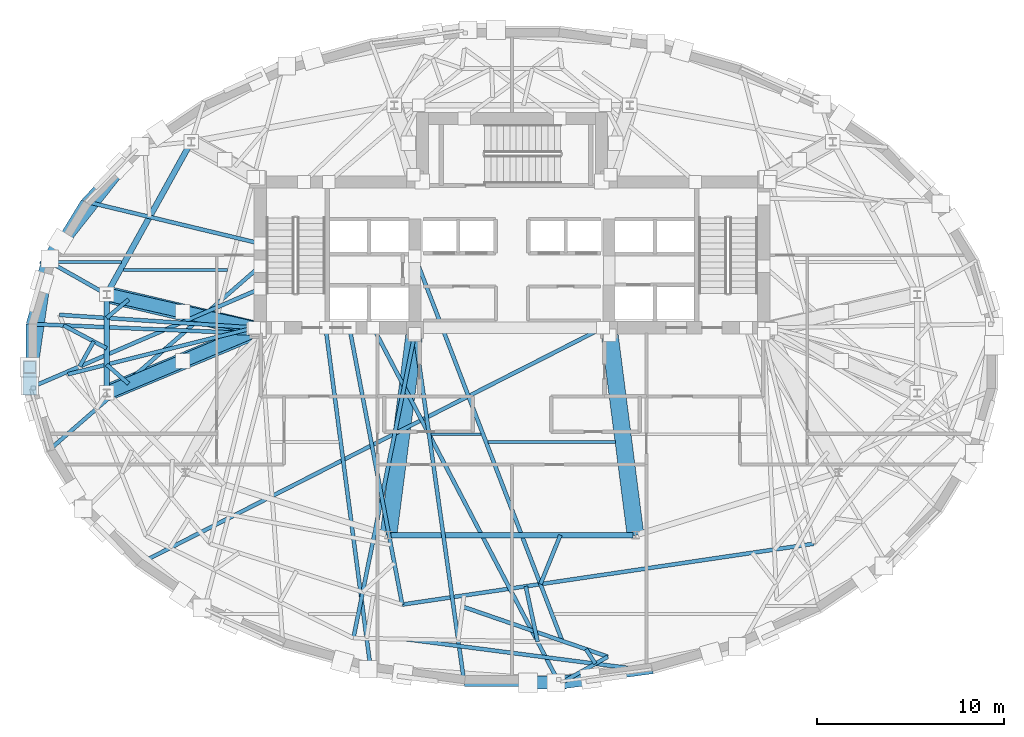
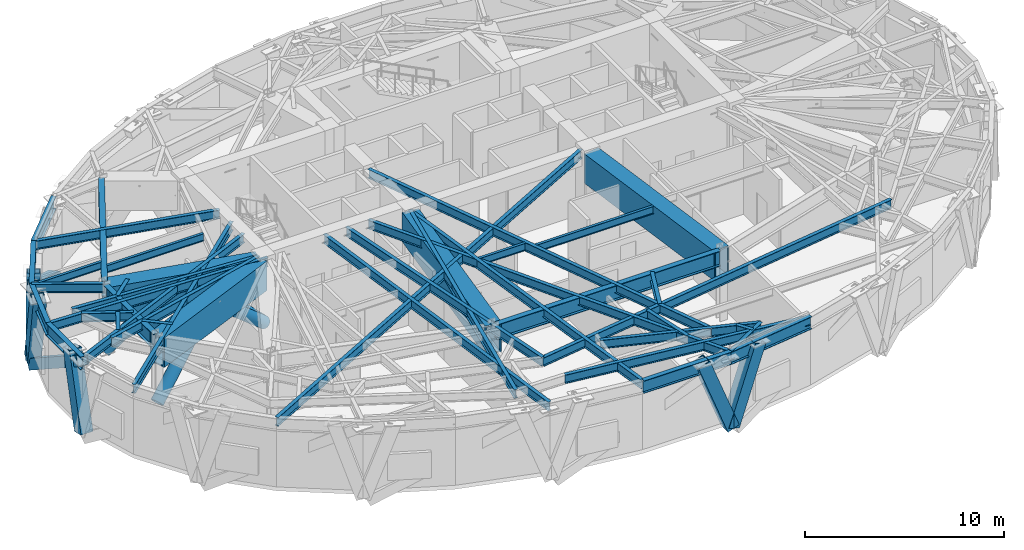
# One storey, part 2 of 13: 42 beams, 11 members.
"""IFC4 building model written with IfcOpenShell, lengths in metres."""

from ifc_helpers import new_model, si_unit, direction, frame, origin, origin_2d, place, context, subcontext, project, spatial, hollow_rectangle, hollow_circle, i_section, extrude, material, material_profile, profile_set, type_object, element, save


model = new_model("IFC4")

# Units and contexts
model_context = context("Model", 3, precision=1e-05, world=origin(), true_north=direction((0.0, 1.0)))
body_context = subcontext(model_context, "Body", "Model", "MODEL_VIEW")
ifc_project = project(units=[si_unit("LENGTHUNIT", "METRE"), si_unit("AREAUNIT", "SQUARE_METRE"), si_unit("VOLUMEUNIT", "CUBIC_METRE"), si_unit("PLANEANGLEUNIT", "RADIAN"), si_unit("MASSUNIT", "GRAM", prefix="KILO")], contexts=[model_context])

# Site, building, storey
site_placement = place(None, origin())
site = spatial("IfcSite", under=ifc_project, at=site_placement, CompositionType="ELEMENT")
building_placement = place(site_placement, origin())
building = spatial("IfcBuilding", under=site, at=building_placement, Name="Keldmark Tower", CompositionType="ELEMENT")
storey_placement = place(building_placement, frame((0.0, 0.0, 135.10009765625)))
storey = spatial("IfcBuildingStorey", under=building, at=storey_placement, Name="L36", CompositionType="ELEMENT", Elevation=135.10009765625)

# Members
ifc_material_1 = material(Name="Steel ASTM A572 Grade 50", Category="steel")
ifc_material_profile_1 = material_profile(ifc_material_1, hollow_rectangle(XDim=0.60009765625, YDim=0.60009765625, WallThickness=0.034912109375, at=origin_2d()), Name="BOX600X600X35")
ifc_profile_set_1 = profile_set([ifc_material_profile_1], Name="Steel ASTM A572 Grade 50")
member_type_1 = type_object("IfcMemberType", Name="Belt Truss Diagonal Brace BOX600", PredefinedType="BRACE", material=ifc_profile_set_1)
member_1_placement = place(storey_placement, frame((-20.165283203125, 11.02490234375, -0.5400390625), z_axis=(-0.528598004612, -0.670030415284, 0.521194198082), x_axis=(0.785095494684, -0.61937473651, 0.0)))
element("IfcMember", 1, at=member_1_placement, inside=storey, type_object=member_type_1, Name="L36 Perimeter Belt Truss Brace 07", PredefinedType="BRACE", context=body_context, shape_type="SweptSolid", body=[
    extrude(hollow_rectangle(XDim=0.60009765625, YDim=0.60009765625, WallThickness=0.034912109375, at=origin_2d()), origin(), (0.0, 0.0, 1.0), 8.67236328125),
])
member_2_placement = place(storey_placement, frame((-24.86279296875, 4.9619140625, -0.5400390625), z_axis=(-0.118745947792, -0.817493251448, 0.563563823999), x_axis=(0.989614382364, -0.143747605958, 0.0)))
element("IfcMember", 2, at=member_2_placement, inside=storey, type_object=member_type_1, Name="L36 Perimeter Belt Truss Brace 08", PredefinedType="BRACE", context=body_context, shape_type="SweptSolid", body=[
    extrude(hollow_rectangle(XDim=0.60009765625, YDim=0.60009765625, WallThickness=0.034912109375, at=origin_2d()), origin(), (0.0, 0.0, 1.0), 8.0205078125),
])

# Beams
ifc_material_2 = material(Name="Steel ASTM A992 Grade 50", Category="steel")
ifc_material_profile_2 = material_profile(ifc_material_2, i_section(OverallWidth=0.153076171875, OverallDepth=0.455078125, WebThickness=0.008056640625, FlangeThickness=0.01318359375, at=origin_2d()), Name="W18X40")
ifc_profile_set_2 = profile_set([ifc_material_profile_2], Name="Steel ASTM A992 Grade 50")
beam_type_1 = type_object("IfcBeamType", Name="Composite Floor Joist W18X40", PredefinedType="JOIST", material=ifc_profile_set_2)
beam_1_placement = place(storey_placement, frame((-4.330810546875, -4.179931640625, 4.052490234375), z_axis=(1.0, 0.0, 0.0), x_axis=(0.0, 1.0, 0.0)))
element("IfcBeam", 3, at=beam_1_placement, inside=storey, type_object=beam_type_1, Name="L36 Composite Floor Joist J06", PredefinedType="JOIST", context=body_context, shape_type="SweptSolid", body=[
    extrude(i_section(OverallWidth=0.153076171875, OverallDepth=0.455078125, WebThickness=0.008056640625, FlangeThickness=0.01318359375, at=origin_2d()), origin(), (0.0, 0.0, 1.0), 2.6787109375),
])
beam_2_placement = place(storey_placement, frame((-1.284912109375, -4.60009765625, 4.052490234375), z_axis=(1.0, 0.0, 0.0), x_axis=(0.0, 1.0, 0.0)))
element("IfcBeam", 4, at=beam_2_placement, inside=storey, type_object=beam_type_1, Name="L36 Composite Floor Joist J07", PredefinedType="JOIST", context=body_context, shape_type="SweptSolid", body=[
    extrude(i_section(OverallWidth=0.153076171875, OverallDepth=0.455078125, WebThickness=0.008056640625, FlangeThickness=0.01318359375, at=origin_2d()), origin(), (0.0, 0.0, 1.0), 6.812255859375),
])
beam_3_placement = place(storey_placement, frame((-24.548583984375, 5.0400390625, 4.052490234375), z_axis=(1.0, 0.0, 0.0), x_axis=(0.0, 1.0, 0.0)))
element("IfcBeam", 5, at=beam_3_placement, inside=storey, type_object=beam_type_1, Name="L36 Composite Floor Joist J09", PredefinedType="JOIST", context=body_context, shape_type="SweptSolid", body=[
    extrude(i_section(OverallWidth=0.153076171875, OverallDepth=0.455078125, WebThickness=0.008056640625, FlangeThickness=0.01318359375, at=origin_2d()), origin(), (0.0, 0.0, 1.0), 3.6435546875),
])
beam_4_placement = place(storey_placement, frame((-20.802734375, 4.6201171875, 4.052490234375), z_axis=(1.0, 0.0, 0.0), x_axis=(0.0, 1.0, 0.0)))
element("IfcBeam", 6, at=beam_4_placement, inside=storey, type_object=beam_type_1, Name="L36 Composite Floor Joist J10", PredefinedType="JOIST", context=body_context, shape_type="SweptSolid", body=[
    extrude(i_section(OverallWidth=0.153076171875, OverallDepth=0.455078125, WebThickness=0.008056640625, FlangeThickness=0.01318359375, at=origin_2d()), origin(), (0.0, 0.0, 1.0), 5.581787109375),
])

# Members
ifc_material_3 = material(Name="Steel ASTM A572 Grade 50", Category="steel")
ifc_material_profile_3 = material_profile(ifc_material_3, hollow_rectangle(XDim=0.699951171875, YDim=0.699951171875, WallThickness=0.044921875, at=origin_2d()), Name="BOX700X700X45")
ifc_profile_set_3 = profile_set([ifc_material_profile_3], Name="Steel ASTM A572 Grade 50")
member_type_2 = type_object("IfcMemberType", Name="Diagrid Zone 2 Brace BOX700X700X45", PredefinedType="BRACE", material=ifc_profile_set_3)
member_3_placement = place(storey_placement, frame((-24.827392578125, 5.08642578125, -0.320068359375), z_axis=(0.139758774799, 0.228748678361, 0.963401020871), x_axis=(-0.853335083836, 0.521362862789, 0.0)))
element("IfcMember", 7, at=member_3_placement, inside=storey, type_object=member_type_2, Name="L36 Perimeter Diagrid Brace 07B", PredefinedType="BRACE", context=body_context, shape_type="SweptSolid", body=[
    extrude(hollow_rectangle(XDim=0.699951171875, YDim=0.699951171875, WallThickness=0.044921875, at=origin_2d()), origin(), (0.0, 0.0, 1.0), 4.650146484375),
])
member_4_placement = place(storey_placement, frame((-24.822998046875, 5.097412109375, -0.320068359375), z_axis=(-0.071577130516, -0.243773364239, 0.967187293793), x_axis=(0.959494237083, -0.281728253829, 0.0)))
element("IfcMember", 8, at=member_4_placement, inside=storey, type_object=member_type_2, Name="L36 Perimeter Diagrid Brace 08A", PredefinedType="BRACE", context=body_context, shape_type="SweptSolid", body=[
    extrude(hollow_rectangle(XDim=0.699951171875, YDim=0.699951171875, WallThickness=0.044921875, at=origin_2d()), origin(), (0.0, 0.0, 1.0), 4.632080078125),
])
member_5_placement = place(storey_placement, frame((-25.815185546875, -1.73291015625, -0.320068359375), z_axis=(0.0, 0.248913733545, 0.968525659574), x_axis=(-1.0, 0.0, 0.0)))
element("IfcMember", 9, at=member_5_placement, inside=storey, type_object=member_type_2, Name="L36 Perimeter Diagrid Brace 08B", PredefinedType="BRACE", context=body_context, shape_type="SweptSolid", body=[
    extrude(hollow_rectangle(XDim=0.699951171875, YDim=0.699951171875, WallThickness=0.044921875, at=origin_2d()), origin(), (0.0, 0.0, 1.0), 4.62548828125),
])
member_6_placement = place(storey_placement, frame((2.55419921875, -17.4755859375, -0.320068359375), z_axis=(-0.354549778014, 0.0, 0.935037140925), x_axis=(0.0, -1.0, 0.0)))
element("IfcMember", 10, at=member_6_placement, inside=storey, type_object=member_type_2, Name="L36 Perimeter Diagrid Brace 12B", PredefinedType="BRACE", context=body_context, shape_type="SweptSolid", body=[
    extrude(hollow_rectangle(XDim=0.699951171875, YDim=0.699951171875, WallThickness=0.044921875, at=origin_2d()), origin(), (0.0, 0.0, 1.0), 4.791259765625),
])
member_7_placement = place(storey_placement, frame((2.54248046875, -17.4755859375, -0.320068359375), z_axis=(0.34821903324, 0.04693941547, 0.936237254207), x_axis=(-0.133590287898, 0.991036646638, 0.0)))
element("IfcMember", 11, at=member_7_placement, inside=storey, type_object=member_type_2, Name="L36 Perimeter Diagrid Brace 13A", PredefinedType="BRACE", context=body_context, shape_type="SweptSolid", body=[
    extrude(hollow_rectangle(XDim=0.699951171875, YDim=0.699951171875, WallThickness=0.044921875, at=origin_2d()), origin(), (0.0, 0.0, 1.0), 4.78515625),
])

# Beams
ifc_material_4 = material(Name="Steel ASTM A992 Grade 50", Category="steel")
ifc_material_profile_4 = material_profile(ifc_material_4, i_section(OverallWidth=0.31005859375, OverallDepth=0.931884765625, WebThickness=0.02099609375, FlangeThickness=0.034423828125, at=origin_2d()), Name="W36X210")
ifc_profile_set_4 = profile_set([ifc_material_profile_4], Name="Steel ASTM A992 Grade 50")
beam_type_2 = type_object("IfcBeamType", Name="Outrigger Chord Girder W36X210", PredefinedType="BEAM", material=ifc_profile_set_4)
beam_5_placement = place(storey_placement, frame((-17.235107421875, 11.35595703125, 3.81396484375), z_axis=(-0.484951836703, -0.874540860154, 0.0), x_axis=(0.874540860154, -0.484951836703, 0.0)))
element("IfcBeam", 12, at=beam_5_placement, inside=storey, type_object=beam_type_2, Name="L36 Floor Ring Girder FG-R05", PredefinedType="BEAM", context=body_context, shape_type="SweptSolid", body=[
    extrude(i_section(OverallWidth=0.31005859375, OverallDepth=0.931884765625, WebThickness=0.02099609375, FlangeThickness=0.034423828125, at=origin_2d()), origin(), (0.0, 0.0, 1.0), 9.060302734375),
])
beam_6_placement = place(storey_placement, frame((-21.697021484375, 3.169921875, 3.81396484375), z_axis=(0.0, -1.0, 0.0), x_axis=(1.0, 0.0, 0.0)))
element("IfcBeam", 13, at=beam_6_placement, inside=storey, type_object=beam_type_2, Name="L36 Floor Ring Girder FG-R06", PredefinedType="BEAM", context=body_context, shape_type="SweptSolid", body=[
    extrude(i_section(OverallWidth=0.31005859375, OverallDepth=0.931884765625, WebThickness=0.02099609375, FlangeThickness=0.034423828125, at=origin_2d()), origin(), (0.0, 0.0, 1.0), 4.995849609375),
])
beam_7_placement = place(storey_placement, frame((-6.472900390625, -9.579345703125, 3.81396484375), z_axis=(1.0, 0.0, 0.0), x_axis=(0.0, 1.0, 0.0)))
element("IfcBeam", 14, at=beam_7_placement, inside=storey, type_object=beam_type_2, Name="L36 Floor Ring Girder FG-R09", PredefinedType="BEAM", context=body_context, shape_type="SweptSolid", body=[
    extrude(i_section(OverallWidth=0.31005859375, OverallDepth=0.931884765625, WebThickness=0.02099609375, FlangeThickness=0.034423828125, at=origin_2d()), origin(), (0.0, 0.0, 1.0), 12.94580078125),
])

# Members
ifc_material_5 = material(Name="Steel ASTM A572 Grade 50", Category="steel")
ifc_material_profile_5 = material_profile(ifc_material_5, hollow_circle(Radius=0.35009765625, WallThickness=0.031982421875, at=origin_2d()), Name="CHS700X32")
ifc_profile_set_5 = profile_set([ifc_material_profile_5], Name="Steel ASTM A572 Grade 50")
member_type_3 = type_object("IfcMemberType", Name="Outrigger Web Strut CHS700X32", PredefinedType="STRUT", material=ifc_profile_set_5)
member_8_placement = place(storey_placement, frame((-13.550048828125, 1.449951171875, 0.14990234375), z_axis=(-0.718645632328, 0.164068641425, 0.675743987051), x_axis=(-0.222575689749, -0.974915412912, 0.0)))
element("IfcMember", 15, at=member_8_placement, inside=storey, type_object=member_type_3, Name="L36 Core Outrigger Truss Strut 01A", PredefinedType="STRUT", context=body_context, shape_type="SweptSolid", body=[
    extrude(hollow_circle(Radius=0.35009765625, WallThickness=0.031982421875, at=origin_2d()), origin(), (0.0, 0.0, 1.0), 5.66796875),
])
member_9_placement = place(storey_placement, frame((-21.697021484375, 3.309814453125, 0.14990234375), z_axis=(0.718687285135, -0.164058484303, 0.675702153255), x_axis=(0.222550333021, 0.974921201571, 0.0)))
element("IfcMember", 16, at=member_9_placement, inside=storey, type_object=member_type_3, Name="L36 Core Outrigger Truss Strut 01B", PredefinedType="STRUT", context=body_context, shape_type="SweptSolid", body=[
    extrude(hollow_circle(Radius=0.35009765625, WallThickness=0.031982421875, at=origin_2d()), origin(), (0.0, 0.0, 1.0), 5.668212890625),
])
member_10_placement = place(storey_placement, frame((-13.550048828125, 1.449951171875, 0.14990234375), z_axis=(-0.696732921558, -0.292156768114, 0.655139419408), x_axis=(0.386702413909, -0.922204555984, 0.0)))
element("IfcMember", 17, at=member_10_placement, inside=storey, type_object=member_type_3, Name="L36 Core Outrigger Truss Strut 02A", PredefinedType="STRUT", context=body_context, shape_type="SweptSolid", body=[
    extrude(hollow_circle(Radius=0.35009765625, WallThickness=0.031982421875, at=origin_2d()), origin(), (0.0, 0.0, 1.0), 5.84619140625),
])
member_11_placement = place(storey_placement, frame((-21.697021484375, -1.9658203125, 0.14990234375), z_axis=(0.696784394349, 0.292101572484, 0.655109287939), x_axis=(-0.386615986062, 0.922240792484, 0.0)))
element("IfcMember", 18, at=member_11_placement, inside=storey, type_object=member_type_3, Name="L36 Core Outrigger Truss Strut 02B", PredefinedType="STRUT", context=body_context, shape_type="SweptSolid", body=[
    extrude(hollow_circle(Radius=0.35009765625, WallThickness=0.031982421875, at=origin_2d()), origin(), (0.0, 0.0, 1.0), 5.846435546875),
])

# Beams
ifc_material_6 = material(Name="Steel ASTM A572 Grade 50", Category="steel")
ifc_material_profile_6 = material_profile(ifc_material_6, hollow_rectangle(XDim=0.89990234375, YDim=1.800048828125, WallThickness=0.074951171875, at=origin_2d()), Name="TBOX1800X900X75")
ifc_profile_set_6 = profile_set([ifc_material_profile_6], Name="Steel ASTM A572 Grade 50")
beam_type_3 = type_object("IfcBeamType", Name="Perimeter Transfer Box Girder 1800x900", PredefinedType="USERDEFINED", material=ifc_profile_set_6)
beam_8_placement = place(storey_placement, frame((-21.697021484375, 3.309814453125, 3.3798828125), z_axis=(0.973294757227, -0.229558958778, 0.0), x_axis=(0.229558958778, 0.973294757227, 0.0)))
element("IfcBeam", 19, at=beam_8_placement, inside=storey, type_object=beam_type_3, Name="L36 Upper Crown Transfer Box Girder UTB-TC-W1", ObjectType="TRANSFER GIRDER", PredefinedType="USERDEFINED", context=body_context, shape_type="SweptSolid", body=[
    extrude(hollow_rectangle(XDim=0.89990234375, YDim=1.800048828125, WallThickness=0.074951171875, at=origin_2d()), origin(), (0.0, 0.0, 1.0), 8.0390625),
])
beam_9_placement = place(storey_placement, frame((-21.697021484375, -1.9658203125, 3.3798828125), z_axis=(0.923402483479, 0.383833106317, 0.0), x_axis=(-0.383833106317, 0.923402483479, 0.0)))
element("IfcBeam", 20, at=beam_9_placement, inside=storey, type_object=beam_type_3, Name="L36 Upper Crown Transfer Box Girder UTB-TC-W5", ObjectType="TRANSFER GIRDER", PredefinedType="USERDEFINED", context=body_context, shape_type="SweptSolid", body=[
    extrude(hollow_rectangle(XDim=0.89990234375, YDim=1.800048828125, WallThickness=0.074951171875, at=origin_2d()), origin(), (0.0, 0.0, 1.0), 8.48876953125),
])
for number, where, z_axis, x_axis, name in (
    (21, (-6.61279296875, -9.579345703125, 3.3798828125), (0.127637487415, 0.991820886958, 0.0), (-0.991820886958, 0.127637487415, 0.0), "L36 Upper Crown Transfer Box Girder UTB-TC-W3"),
    (22, (6.61279296875, -9.579345703125, 3.3798828125), (-0.127637487415, 0.991820886958, 0.0), (-0.991820886958, -0.127637487415, 0.0), "L36 Upper Crown Transfer Box Girder UTB-TC-E3"),
):
    element("IfcBeam", number, at=place(storey_placement, frame(where, z_axis=z_axis, x_axis=x_axis)), inside=storey, type_object=beam_type_3, Name=name, ObjectType="TRANSFER GIRDER", PredefinedType="USERDEFINED", context=body_context, shape_type="SweptSolid", body=[
        extrude(hollow_rectangle(XDim=0.89990234375, YDim=1.800048828125, WallThickness=0.074951171875, at=origin_2d()), origin(), (0.0, 0.0, 1.0), 10.789794921875),
    ])
ifc_material_7 = material(Name="Steel ASTM A992 Grade 50", Category="steel")
ifc_material_profile_7 = material_profile(ifc_material_7, i_section(OverallWidth=0.2099609375, OverallDepth=0.537109375, WebThickness=0.010986328125, FlangeThickness=0.017333984375, at=origin_2d()), Name="W21X68")
ifc_profile_set_7 = profile_set([ifc_material_profile_7], Name="Steel ASTM A992 Grade 50")
beam_type_4 = type_object("IfcBeamType", Name="Radial Tie Girder W21X68", PredefinedType="BEAM", material=ifc_profile_set_7)
beam_10_placement = place(storey_placement, frame((-20.52099609375, -1.47705078125, 4.011474609375), z_axis=(-0.753419022227, 0.657540703642, 0.0), x_axis=(-0.657540703642, -0.753419022227, 0.0)))
element("IfcBeam", 23, at=beam_10_placement, inside=storey, type_object=beam_type_4, Name="L36 Framing Pin Header PH-003", PredefinedType="BEAM", context=body_context, shape_type="SweptSolid", body=[
    extrude(i_section(OverallWidth=0.2099609375, OverallDepth=0.537109375, WebThickness=0.010986328125, FlangeThickness=0.017333984375, at=origin_2d()), origin(), (0.0, 0.0, 1.0), 1.56103515625),
])
beam_11_placement = place(storey_placement, frame((-13.800048828125, 1.52490234375, 4.011474609375), z_axis=(-0.970104777508, -0.242686465744, 0.0), x_axis=(0.242686465744, -0.970104777508, 0.0)))
element("IfcBeam", 24, at=beam_11_placement, inside=storey, type_object=beam_type_4, Name="L36 Sub-Ring Step Girder STP1-M07", PredefinedType="BEAM", context=body_context, shape_type="SweptSolid", body=[
    extrude(i_section(OverallWidth=0.2099609375, OverallDepth=0.537109375, WebThickness=0.010986328125, FlangeThickness=0.017333984375, at=origin_2d()), origin(), (0.0, 0.0, 1.0), 10.2822265625),
])
beam_12_placement = place(storey_placement, frame((-8.699951171875, 1.52490234375, 4.011474609375), z_axis=(0.187254141465, -0.982311501767, 0.0), x_axis=(0.982311501767, 0.187254141465, 0.0)))
element("IfcBeam", 25, at=beam_12_placement, inside=storey, type_object=beam_type_4, Name="L36 Sub-Ring Step Girder STP1-M09", PredefinedType="BEAM", context=body_context, shape_type="SweptSolid", body=[
    extrude(i_section(OverallWidth=0.2099609375, OverallDepth=0.537109375, WebThickness=0.010986328125, FlangeThickness=0.017333984375, at=origin_2d()), origin(), (0.0, 0.0, 1.0), 15.086181640625),
])
beam_13_placement = place(storey_placement, frame((-5.875, -13.29443359375, 4.011474609375), z_axis=(0.989243670768, 0.14627699698, 0.0), x_axis=(-0.14627699698, 0.989243670768, 0.0)))
element("IfcBeam", 26, at=beam_13_placement, inside=storey, type_object=beam_type_4, Name="L36 Perimeter Collector Ring Beam CRG1-M09", PredefinedType="BEAM", context=body_context, shape_type="SweptSolid", body=[
    extrude(i_section(OverallWidth=0.2099609375, OverallDepth=0.537109375, WebThickness=0.010986328125, FlangeThickness=0.017333984375, at=origin_2d()), origin(), (0.0, 0.0, 1.0), 22.2783203125),
])
beam_14_placement = place(storey_placement, frame((-20.523193359375, 3.033203125, 4.011474609375), z_axis=(-0.764977208524, -0.644057350271, 0.0), x_axis=(0.644057350272, -0.764977208524, 0.0)))
element("IfcBeam", 27, at=beam_14_placement, inside=storey, type_object=beam_type_4, Name="L36 Framing Pin Header PH-009", PredefinedType="BEAM", context=body_context, shape_type="SweptSolid", body=[
    extrude(i_section(OverallWidth=0.2099609375, OverallDepth=0.537109375, WebThickness=0.010986328125, FlangeThickness=0.017333984375, at=origin_2d()), origin(), (0.0, 0.0, 1.0), 1.534423828125),
])
beam_15_placement = place(storey_placement, frame((-13.800048828125, 1.52490234375, 4.011474609375), z_axis=(-0.997838719925, 0.065710646154, 0.0), x_axis=(-0.065710646154, -0.997838719925, 0.0)))
element("IfcBeam", 28, at=beam_15_placement, inside=storey, type_object=beam_type_4, Name="L36 Sub-Ring Step Girder STP2-M07", PredefinedType="BEAM", context=body_context, shape_type="SweptSolid", body=[
    extrude(i_section(OverallWidth=0.2099609375, OverallDepth=0.537109375, WebThickness=0.010986328125, FlangeThickness=0.017333984375, at=origin_2d()), origin(), (0.0, 0.0, 1.0), 10.44384765625),
])
beam_16_placement = place(storey_placement, frame((-5.199951171875, 1.199951171875, 4.011474609375), z_axis=(-0.197827764932, -0.980236795587, 0.0), x_axis=(0.980236795587, -0.197827764932, 0.0)))
element("IfcBeam", 29, at=beam_16_placement, inside=storey, type_object=beam_type_4, Name="L36 Sub-Ring Step Girder STP2-M09", PredefinedType="BEAM", context=body_context, shape_type="SweptSolid", body=[
    extrude(i_section(OverallWidth=0.2099609375, OverallDepth=0.537109375, WebThickness=0.010986328125, FlangeThickness=0.017333984375, at=origin_2d()), origin(), (0.0, 0.0, 1.0), 16.61962890625),
])
beam_17_placement = place(storey_placement, frame((2.589111328125, -9.579345703125, 4.011474609375), z_axis=(-0.376562201286, -0.926391336619, 0.0), x_axis=(0.926391336619, -0.376562201286, 0.0)))
element("IfcBeam", 30, at=beam_17_placement, inside=storey, type_object=beam_type_4, Name="L36 Framing Pin Header PH-012", PredefinedType="BEAM", context=body_context, shape_type="SweptSolid", body=[
    extrude(i_section(OverallWidth=0.2099609375, OverallDepth=0.537109375, WebThickness=0.010986328125, FlangeThickness=0.017333984375, at=origin_2d()), origin(), (0.0, 0.0, 1.0), 2.829345703125),
])
beam_18_placement = place(storey_placement, frame((-5.199951171875, 5.35009765625, 4.011474609375), z_axis=(0.357739406465, -0.933821458878, 0.0), x_axis=(0.933821458878, 0.357739406465, 0.0)))
element("IfcBeam", 31, at=beam_18_placement, inside=storey, type_object=beam_type_4, Name="L36 Sub-Ring Step Girder STP2-M10", PredefinedType="BEAM", context=body_context, shape_type="SweptSolid", body=[
    extrude(i_section(OverallWidth=0.2099609375, OverallDepth=0.537109375, WebThickness=0.010986328125, FlangeThickness=0.017333984375, at=origin_2d()), origin(), (0.0, 0.0, 1.0), 22.123779296875),
])
beam_19_placement = place(storey_placement, frame((-13.47509765625, 6.028564453125, 4.011474609375), z_axis=(-0.972196020249, 0.234168525238, 0.0), x_axis=(-0.234168525238, -0.972196020249, 0.0)))
element("IfcBeam", 32, at=beam_19_placement, inside=storey, type_object=beam_type_4, Name="L36 Perimeter Radial Tie Girder RT-14", PredefinedType="BEAM", context=body_context, shape_type="SweptSolid", body=[
    extrude(i_section(OverallWidth=0.2099609375, OverallDepth=0.537109375, WebThickness=0.010986328125, FlangeThickness=0.017333984375, at=origin_2d()), origin(), (0.0, 0.0, 1.0), 9.725341796875),
])
beam_20_placement = place(storey_placement, frame((-21.697021484375, 3.309814453125, 4.011474609375), z_axis=(-0.869901017137, 0.493226337886, 0.0), x_axis=(-0.493226337886, -0.869901017137, 0.0)))
element("IfcBeam", 33, at=beam_20_placement, inside=storey, type_object=beam_type_4, Name="L36 Perimeter Column Bracket RT-15", PredefinedType="BEAM", context=body_context, shape_type="SweptSolid", body=[
    extrude(i_section(OverallWidth=0.2099609375, OverallDepth=0.537109375, WebThickness=0.010986328125, FlangeThickness=0.017333984375, at=origin_2d()), origin(), (0.0, 0.0, 1.0), 3.659423828125),
])
beam_21_placement = place(storey_placement, frame((-21.697021484375, 0.422119140625, 4.011474609375), z_axis=(-0.882898797725, 0.469563321583, 0.0), x_axis=(-0.469563321583, -0.882898797725, 0.0)))
element("IfcBeam", 34, at=beam_21_placement, inside=storey, type_object=beam_type_4, Name="L36 Framing Pin Header PH-022", PredefinedType="BEAM", context=body_context, shape_type="SweptSolid", body=[
    extrude(i_section(OverallWidth=0.2099609375, OverallDepth=0.537109375, WebThickness=0.010986328125, FlangeThickness=0.017333984375, at=origin_2d()), origin(), (0.0, 0.0, 1.0), 2.609619140625),
])
beam_22_placement = place(storey_placement, frame((-13.47509765625, 1.199951171875, 4.011474609375), z_axis=(-0.999097706427, 0.042470848967, 0.0), x_axis=(-0.042470848967, -0.999097706427, 0.0)))
element("IfcBeam", 35, at=beam_22_placement, inside=storey, type_object=beam_type_4, Name="L36 Perimeter Radial Tie Girder RT-16", PredefinedType="BEAM", context=body_context, shape_type="SweptSolid", body=[
    extrude(i_section(OverallWidth=0.2099609375, OverallDepth=0.537109375, WebThickness=0.010986328125, FlangeThickness=0.017333984375, at=origin_2d()), origin(), (0.0, 0.0, 1.0), 12.410888671875),
])
beam_23_placement = place(storey_placement, frame((-22.38818359375, 0.789794921875, 4.011474609375), z_axis=(-0.490034902559, -0.871702813047, 0.0), x_axis=(0.871702813047, -0.490034902559, 0.0)))
element("IfcBeam", 36, at=beam_23_placement, inside=storey, type_object=beam_type_4, Name="L36 Framing Pin Header PH-023", PredefinedType="BEAM", context=body_context, shape_type="SweptSolid", body=[
    extrude(i_section(OverallWidth=0.2099609375, OverallDepth=0.537109375, WebThickness=0.010986328125, FlangeThickness=0.017333984375, at=origin_2d()), origin(), (0.0, 0.0, 1.0), 1.536376953125),
])
beam_24_placement = place(storey_placement, frame((-13.47509765625, 3.6142578125, 4.011474609375), z_axis=(-0.918414839613, -0.395618733605, 0.0), x_axis=(0.395618733605, -0.918414839613, 0.0)))
element("IfcBeam", 37, at=beam_24_placement, inside=storey, type_object=beam_type_4, Name="L36 Perimeter Radial Tie Girder RT-17", PredefinedType="BEAM", context=body_context, shape_type="SweptSolid", body=[
    extrude(i_section(OverallWidth=0.2099609375, OverallDepth=0.537109375, WebThickness=0.010986328125, FlangeThickness=0.017333984375, at=origin_2d()), origin(), (0.0, 0.0, 1.0), 13.501220703125),
])
beam_25_placement = place(storey_placement, frame((-13.47509765625, 4.8212890625, 4.011474609375), z_axis=(-0.754002685225, -0.656871334945, 0.0), x_axis=(0.656871334945, -0.754002685225, 0.0)))
element("IfcBeam", 38, at=beam_25_placement, inside=storey, type_object=beam_type_4, Name="L36 Perimeter Radial Tie Girder RT-18", PredefinedType="BEAM", context=body_context, shape_type="SweptSolid", body=[
    extrude(i_section(OverallWidth=0.2099609375, OverallDepth=0.537109375, WebThickness=0.010986328125, FlangeThickness=0.017333984375, at=origin_2d()), origin(), (0.0, 0.0, 1.0), 15.126220703125),
])
beam_26_placement = place(storey_placement, frame((4.875, 1.52490234375, 4.011474609375), z_axis=(-0.891319545364, -0.453375636809, 0.0), x_axis=(0.453375636809, -0.891319545364, 0.0)))
element("IfcBeam", 39, at=beam_26_placement, inside=storey, type_object=beam_type_4, Name="L36 Perimeter Radial Tie Girder RT-20", PredefinedType="BEAM", context=body_context, shape_type="SweptSolid", body=[
    extrude(i_section(OverallWidth=0.2099609375, OverallDepth=0.537109375, WebThickness=0.010986328125, FlangeThickness=0.017333984375, at=origin_2d()), origin(), (0.0, 0.0, 1.0), 28.0185546875),
])
beam_27_placement = place(storey_placement, frame((-9.97509765625, 1.52490234375, 4.011474609375), z_axis=(0.130904680282, -0.991394958975, 0.0), x_axis=(0.991394958975, 0.130904680282, 0.0)))
element("IfcBeam", 40, at=beam_27_placement, inside=storey, type_object=beam_type_4, Name="L36 Perimeter Radial Tie Girder RT-23", PredefinedType="BEAM", context=body_context, shape_type="SweptSolid", body=[
    extrude(i_section(OverallWidth=0.2099609375, OverallDepth=0.537109375, WebThickness=0.010986328125, FlangeThickness=0.017333984375, at=origin_2d()), origin(), (0.0, 0.0, 1.0), 18.5458984375),
])
beam_28_placement = place(storey_placement, frame((-5.199951171875, 1.199951171875, 4.011474609375), z_axis=(0.140135106016, -0.990132391179, 0.0), x_axis=(0.990132391179, 0.140135106016, 0.0)))
element("IfcBeam", 41, at=beam_28_placement, inside=storey, type_object=beam_type_4, Name="L36 Perimeter Radial Tie Girder RT-24", PredefinedType="BEAM", context=body_context, shape_type="SweptSolid", body=[
    extrude(i_section(OverallWidth=0.2099609375, OverallDepth=0.537109375, WebThickness=0.010986328125, FlangeThickness=0.017333984375, at=origin_2d()), origin(), (0.0, 0.0, 1.0), 18.921875),
])
beam_29_placement = place(storey_placement, frame((0.736572265625, -12.31689453125, 4.011474609375), z_axis=(0.208852982751, -0.977947049485, 0.0), x_axis=(0.977947049485, 0.208852982751, 0.0)))
element("IfcBeam", 42, at=beam_29_placement, inside=storey, type_object=beam_type_4, Name="L36 Framing Pin Header PH-031", PredefinedType="BEAM", context=body_context, shape_type="SweptSolid", body=[
    extrude(i_section(OverallWidth=0.2099609375, OverallDepth=0.537109375, WebThickness=0.010986328125, FlangeThickness=0.017333984375, at=origin_2d()), origin(), (0.0, 0.0, 1.0), 3.033447265625),
])
beam_30_placement = place(storey_placement, frame((-7.425048828125, 1.52490234375, 4.011474609375), z_axis=(0.463625703775, -0.886031154531, 0.0), x_axis=(0.886031154531, 0.463625703775, 0.0)))
element("IfcBeam", 43, at=beam_30_placement, inside=storey, type_object=beam_type_4, Name="L36 Perimeter Radial Tie Girder RT-25", PredefinedType="BEAM", context=body_context, shape_type="SweptSolid", body=[
    extrude(i_section(OverallWidth=0.2099609375, OverallDepth=0.537109375, WebThickness=0.010986328125, FlangeThickness=0.017333984375, at=origin_2d()), origin(), (0.0, 0.0, 1.0), 21.51171875),
])
beam_31_placement = place(storey_placement, frame((-2.646484375, -13.404296875, 4.011474609375), z_axis=(0.945401992031, -0.325906540995, 0.0), x_axis=(0.325906540995, 0.945401992031, 0.0)))
element("IfcBeam", 44, at=beam_31_placement, inside=storey, type_object=beam_type_4, Name="L36 Intermediate Radial Step Girder RT-26M", PredefinedType="BEAM", context=body_context, shape_type="SweptSolid", body=[
    extrude(i_section(OverallWidth=0.2099609375, OverallDepth=0.537109375, WebThickness=0.010986328125, FlangeThickness=0.017333984375, at=origin_2d()), origin(), (0.0, 0.0, 1.0), 8.226806640625),
])
beam_32_placement = place(storey_placement, frame((2.54833984375, -17.53515625, 4.011474609375), z_axis=(0.872022055643, 0.489466581568, 0.0), x_axis=(-0.489466581568, 0.872022055643, 0.0)))
element("IfcBeam", 45, at=beam_32_placement, inside=storey, type_object=beam_type_4, Name="L36 Local Collector Chord RT-26C", PredefinedType="BEAM", context=body_context, shape_type="SweptSolid", body=[
    extrude(i_section(OverallWidth=0.2099609375, OverallDepth=0.537109375, WebThickness=0.010986328125, FlangeThickness=0.017333984375, at=origin_2d()), origin(), (0.0, 0.0, 1.0), 2.9619140625),
])
beam_33_placement = place(storey_placement, frame((3.964599609375, -15.683349609375, 4.011474609375), z_axis=(0.538295351537, -0.842756260441, 0.0), x_axis=(0.842756260441, 0.538295351537, 0.0)))
element("IfcBeam", 46, at=beam_33_placement, inside=storey, type_object=beam_type_4, Name="L36 Framing Pin Header PH-032", PredefinedType="BEAM", context=body_context, shape_type="SweptSolid", body=[
    extrude(i_section(OverallWidth=0.2099609375, OverallDepth=0.537109375, WebThickness=0.010986328125, FlangeThickness=0.017333984375, at=origin_2d()), origin(), (0.0, 0.0, 1.0), 0.9228515625),
])
beam_34_placement = place(storey_placement, frame((-5.687255859375, -15.14599609375, 4.011474609375), z_axis=(0.991705054685, -0.128534370939, 0.0), x_axis=(0.128534370939, 0.991705054685, 0.0)))
element("IfcBeam", 47, at=beam_34_placement, inside=storey, type_object=beam_type_4, Name="L36 Perimeter Radial Tie Girder RT-26", PredefinedType="BEAM", context=body_context, shape_type="SweptSolid", body=[
    extrude(i_section(OverallWidth=0.2099609375, OverallDepth=0.537109375, WebThickness=0.010986328125, FlangeThickness=0.017333984375, at=origin_2d()), origin(), (0.0, 0.0, 1.0), 13.34521484375),
])
ifc_material_8 = material(Name="Steel ASTM A992 Grade 50", Category="steel")
ifc_material_profile_8 = material_profile(ifc_material_8, i_section(OverallWidth=0.26806640625, OverallDepth=0.77001953125, WebThickness=0.015625, FlangeThickness=0.025390625, at=origin_2d()), Name="W30X132")
ifc_profile_set_8 = profile_set([ifc_material_profile_8], Name="Steel ASTM A992 Grade 50")
beam_type_5 = type_object("IfcBeamType", Name="Spandrel Ring Beam W30X132", PredefinedType="SPANDREL", material=ifc_profile_set_8)
beam_35_placement = place(storey_placement, frame((-20.098388671875, 11.177978515625, 3.89501953125), z_axis=(-0.702064671311, -0.712113191352, 0.0), x_axis=(0.712113191352, -0.702064671311, 0.0)))
element("IfcBeam", 48, at=beam_35_placement, inside=storey, type_object=beam_type_5, Name="L36 Perimeter Spandrel Ring Beam SRB-13", PredefinedType="SPANDREL", context=body_context, shape_type="SweptSolid", body=[
    extrude(i_section(OverallWidth=0.26806640625, OverallDepth=0.77001953125, WebThickness=0.015625, FlangeThickness=0.025390625, at=origin_2d()), origin(), (0.0, 0.0, 1.0), 4.033203125),
])
beam_36_placement = place(storey_placement, frame((-22.929931640625, 8.305908203125, 3.89501953125), z_axis=(-0.521505457928, -0.853247945999, 0.0), x_axis=(0.853247945999, -0.521505457928, 0.0)))
element("IfcBeam", 49, at=beam_36_placement, inside=storey, type_object=beam_type_5, Name="L36 Perimeter Spandrel Ring Beam SRB-14", PredefinedType="SPANDREL", context=body_context, shape_type="SweptSolid", body=[
    extrude(i_section(OverallWidth=0.26806640625, OverallDepth=0.77001953125, WebThickness=0.015625, FlangeThickness=0.025390625, at=origin_2d()), origin(), (0.0, 0.0, 1.0), 3.739990234375),
])
beam_37_placement = place(storey_placement, frame((-24.88037109375, 5.11474609375, 3.89501953125), z_axis=(-0.281645899487, -0.959518414259, 0.0), x_axis=(0.959518414259, -0.281645899487, 0.0)))
element("IfcBeam", 50, at=beam_37_placement, inside=storey, type_object=beam_type_5, Name="L36 Perimeter Spandrel Ring Beam SRB-15", PredefinedType="SPANDREL", context=body_context, shape_type="SweptSolid", body=[
    extrude(i_section(OverallWidth=0.26806640625, OverallDepth=0.77001953125, WebThickness=0.015625, FlangeThickness=0.025390625, at=origin_2d()), origin(), (0.0, 0.0, 1.0), 3.530517578125),
])
beam_38_placement = place(storey_placement, frame((-25.874755859375, 1.72705078125, 3.89501953125), z_axis=(0.0, -1.0, 0.0), x_axis=(1.0, 0.0, 0.0)))
element("IfcBeam", 51, at=beam_38_placement, inside=storey, type_object=beam_type_5, Name="L36 Perimeter Spandrel Ring Beam SRB-16", PredefinedType="SPANDREL", context=body_context, shape_type="SweptSolid", body=[
    extrude(i_section(OverallWidth=0.26806640625, OverallDepth=0.77001953125, WebThickness=0.015625, FlangeThickness=0.025390625, at=origin_2d()), origin(), (0.0, 0.0, 1.0), 3.4541015625),
])
beam_39_placement = place(storey_placement, frame((-2.54833984375, -17.53515625, 3.89501953125), z_axis=(1.0, 0.0, 0.0), x_axis=(0.0, 1.0, 0.0)))
element("IfcBeam", 52, at=beam_39_placement, inside=storey, type_object=beam_type_5, Name="L36 Perimeter Spandrel Ring Beam SRB-24", PredefinedType="SPANDREL", context=body_context, shape_type="SweptSolid", body=[
    extrude(i_section(OverallWidth=0.26806640625, OverallDepth=0.77001953125, WebThickness=0.015625, FlangeThickness=0.025390625, at=origin_2d()), origin(), (0.0, 0.0, 1.0), 5.0966796875),
])
beam_40_placement = place(storey_placement, frame((2.54833984375, -17.53515625, 3.89501953125), z_axis=(0.99103751038, 0.133583880086, 0.0), x_axis=(-0.133583880086, 0.99103751038, 0.0)))
element("IfcBeam", 53, at=beam_40_placement, inside=storey, type_object=beam_type_5, Name="L36 Perimeter Spandrel Ring Beam SRB-25", PredefinedType="SPANDREL", context=body_context, shape_type="SweptSolid", body=[
    extrude(i_section(OverallWidth=0.26806640625, OverallDepth=0.77001953125, WebThickness=0.015625, FlangeThickness=0.025390625, at=origin_2d()), origin(), (0.0, 0.0, 1.0), 5.044189453125),
])

save(model, "model.ifc")
